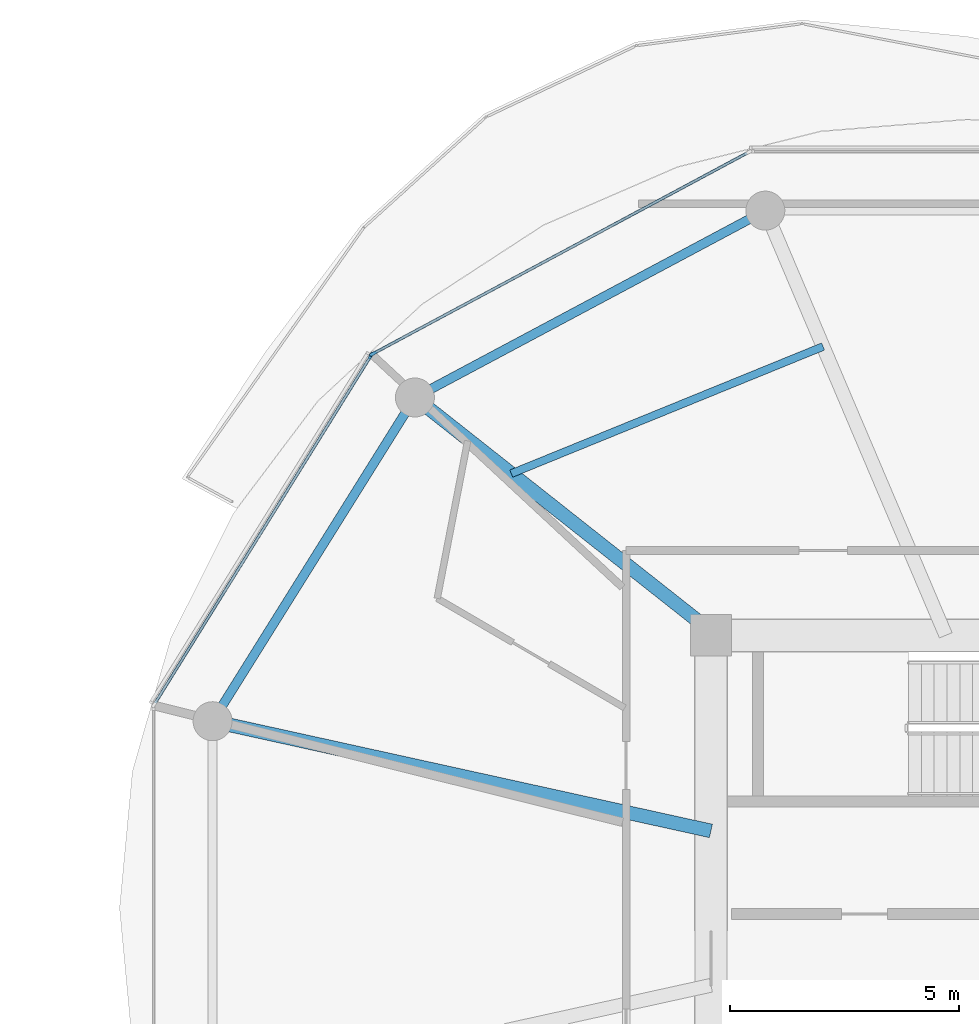
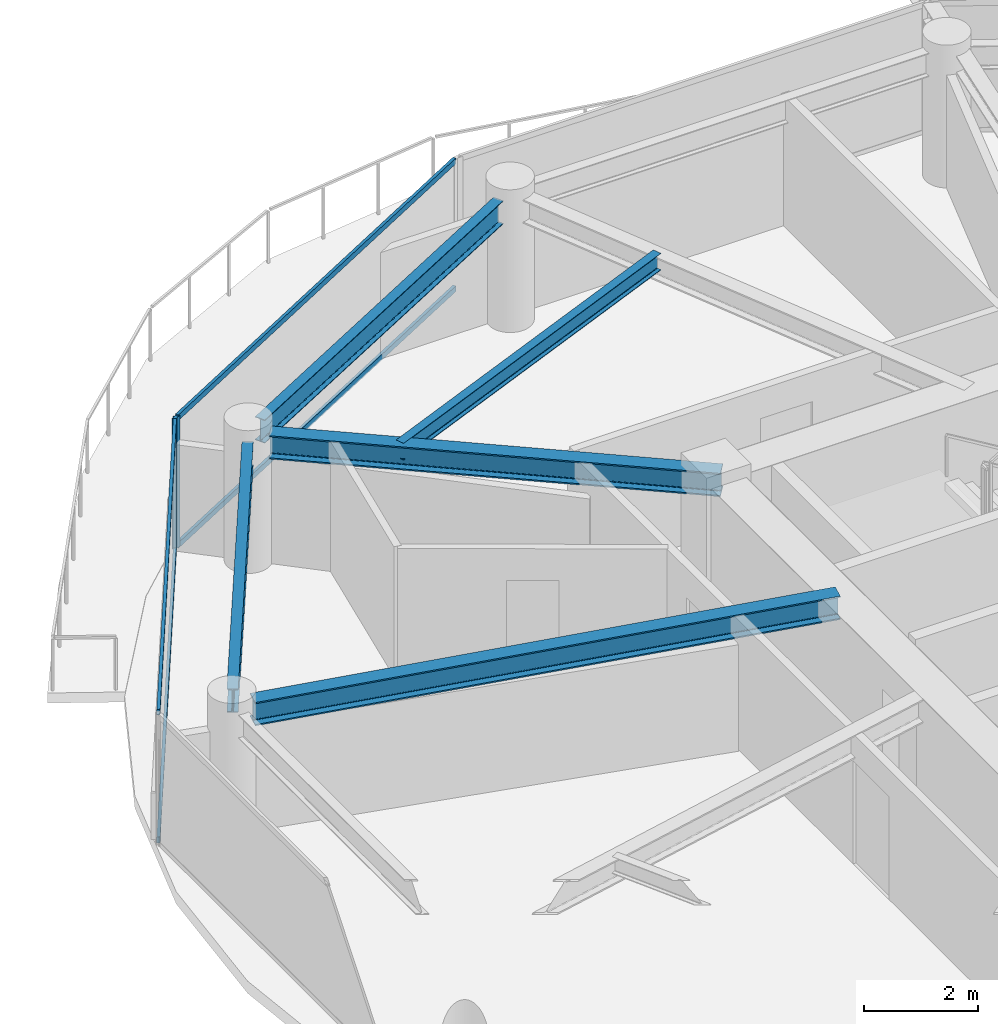
# One storey, part 8 of 24: 6 members, 5 beams, 2 elements without a shape of their own.
"""IFC4 building model written with IfcOpenShell, lengths in metres."""

from ifc_helpers import new_model, si_unit, direction, frame, origin, origin_2d, place, context, subcontext, project, spatial, rectangle, i_section, extrude, source, transform, mapped, material, layer, layer_set, material_profile, profile_set, type_object, type_shapes, element, aggregate, save


model = new_model("IFC4")

# Units and contexts
model_context = context("Model", 3, precision=1e-05, world=origin(), true_north=direction((0.0, 1.0)))
body_context = subcontext(model_context, "Body", "Model", "MODEL_VIEW")
ifc_project = project(units=[si_unit("LENGTHUNIT", "METRE"), si_unit("AREAUNIT", "SQUARE_METRE"), si_unit("VOLUMEUNIT", "CUBIC_METRE"), si_unit("PLANEANGLEUNIT", "RADIAN"), si_unit("MASSUNIT", "GRAM", prefix="KILO")], contexts=[model_context])

# Site, building, storey
site_placement = place(None, origin())
site = spatial("IfcSite", under=ifc_project, at=site_placement, CompositionType="ELEMENT")
building_placement = place(site_placement, origin())
building = spatial("IfcBuilding", under=site, at=building_placement, Name="Norrkilde Senior Care Towers", CompositionType="ELEMENT")
storey_placement = place(building_placement, frame((0.0, 0.0, 117.60009765625)))
storey = spatial("IfcBuildingStorey", under=building, at=storey_placement, Name="L36", CompositionType="ELEMENT", Elevation=117.60009765625)

# Beams
ifc_material_1 = material(Name="Steel S355", Category="steel")
ifc_material_profile_1 = material_profile(ifc_material_1, i_section(OverallWidth=0.199951171875, OverallDepth=0.5, WebThickness=0.01025390625, FlangeThickness=0.01611328125, FilletRadius=0.02099609375, at=origin_2d()), Name="IPE 500")
ifc_profile_set_1 = profile_set([ifc_material_profile_1], Name="Steel S355")
beam_type_1 = type_object("IfcBeamType", Name="Perimeter Ring Spandrel Z2 IPE500", PredefinedType="SPANDREL", material=ifc_profile_set_1)
shared_shape_1 = source(origin(), body_context, "Body", "SweptSolid", [
    extrude(i_section(OverallWidth=0.199951171875, OverallDepth=0.5, WebThickness=0.01025390625, FlangeThickness=0.01611328125, FilletRadius=0.02099609375, at=origin_2d()), origin(), (0.0, 0.0, 1.0), 7.55615234375),
])
beam_1_placement = place(storey_placement, frame((13.689697265625, 10.810546875, 2.539794921875), z_axis=(-0.529981514254, -0.848009194849, 0.0), x_axis=(0.848009194849, -0.529981514254, 0.0)))
element("IfcBeam", 1, at=beam_1_placement, inside=storey, type_object=beam_type_1, Name="L36 Drum E Perimeter Spandrel 05", PredefinedType="SPANDREL", context=body_context, shape_type="MappedRepresentation", body=[
    mapped(shared_shape_1, transform((0.0, 0.0, 0.0), x_axis=(1.0, 0.0, 0.0), y_axis=(0.0, 1.0, 0.0), z_axis=(0.0, 0.0, 1.0), scale=1.0)),
])
ifc_material_profile_2 = material_profile(ifc_material_1, i_section(OverallWidth=0.300048828125, OverallDepth=0.5, WebThickness=0.014404296875, FlangeThickness=0.028076171875, FilletRadius=0.027099609375, at=origin_2d()), Name="HEB 500")
ifc_profile_set_2 = profile_set([ifc_material_profile_2], Name="Steel S355")
beam_type_2 = type_object("IfcBeamType", Name="Radial Floor Beam Z2 HEB500", PredefinedType="BEAM", material=ifc_profile_set_2)
shared_shape_2 = source(origin(), body_context, "Body", "SweptSolid", [
    extrude(i_section(OverallWidth=0.300048828125, OverallDepth=0.5, WebThickness=0.014404296875, FlangeThickness=0.028076171875, FilletRadius=0.027099609375, at=origin_2d()), origin(), (0.0, 0.0, 1.0), 10.744384765625),
])
beam_2_placement = place(storey_placement, frame((20.35009765625, 1.683837890625, 2.539794921875), z_axis=(-0.976618711422, 0.214978818724, 0.0), x_axis=(-0.214978818724, -0.976618711422, 0.0)))
element("IfcBeam", 2, at=beam_2_placement, inside=storey, type_object=beam_type_2, Name="L36 Drum E Radial Floor Beam 06", PredefinedType="BEAM", context=body_context, shape_type="MappedRepresentation", body=[
    mapped(shared_shape_2, transform((0.0, 0.0, 0.0), x_axis=(1.0, 0.0, 0.0), y_axis=(0.0, 1.0, 0.0), z_axis=(0.0, 0.0, 1.0), scale=1.0)),
])
shared_shape_3 = source(origin(), body_context, "Body", "SweptSolid", [
    extrude(i_section(OverallWidth=0.199951171875, OverallDepth=0.5, WebThickness=0.01025390625, FlangeThickness=0.01611328125, FilletRadius=0.02099609375, at=origin_2d()), origin(), (0.0, 0.0, 1.0), 7.892333984375),
])
type_shapes(beam_type_1, [shared_shape_1, shared_shape_3])
beam_3_placement = place(storey_placement, frame((21.197509765625, 15.0322265625, 2.539794921875), z_axis=(-0.882350372282, -0.47059305194, 0.0), x_axis=(0.47059305194, -0.882350372282, 0.0)))
element("IfcBeam", 3, at=beam_3_placement, inside=storey, type_object=beam_type_1, Name="L36 Drum E Perimeter Spandrel 04", PredefinedType="SPANDREL", context=body_context, shape_type="MappedRepresentation", body=[
    mapped(shared_shape_3, transform((0.0, 0.0, 0.0), x_axis=(1.0, 0.0, 0.0), y_axis=(0.0, 1.0, 0.0), z_axis=(0.0, 0.0, 1.0), scale=1.0)),
])
shared_shape_4 = source(origin(), body_context, "Body", "SweptSolid", [
    extrude(i_section(OverallWidth=0.300048828125, OverallDepth=0.5, WebThickness=0.014404296875, FlangeThickness=0.028076171875, FilletRadius=0.027099609375, at=origin_2d()), origin(), (0.0, 0.0, 1.0), 7.985595703125),
])
type_shapes(beam_type_2, [shared_shape_2, shared_shape_4])
beam_4_placement = place(storey_placement, frame((20.463623046875, 5.949951171875, 2.539794921875), z_axis=(-0.784858505144, 0.619675017169, 0.0), x_axis=(-0.619675017169, -0.784858505144, 0.0)))
element("IfcBeam", 4, at=beam_4_placement, inside=storey, type_object=beam_type_2, Name="L36 Drum E Radial Floor Beam 05", PredefinedType="BEAM", context=body_context, shape_type="MappedRepresentation", body=[
    mapped(shared_shape_4, transform((0.0, 0.0, 0.0), x_axis=(1.0, 0.0, 0.0), y_axis=(0.0, 1.0, 0.0), z_axis=(0.0, 0.0, 1.0), scale=1.0)),
])
ifc_material_profile_3 = material_profile(ifc_material_1, i_section(OverallWidth=0.169921875, OverallDepth=0.360107421875, WebThickness=0.008056640625, FlangeThickness=0.0126953125, FilletRadius=0.01806640625, at=origin_2d()), Name="IPE 360")
ifc_profile_set_3 = profile_set([ifc_material_profile_3], Name="Steel S355")
beam_type_3 = type_object("IfcBeamType", Name="Secondary Floor Joist IPE360", PredefinedType="JOIST", material=ifc_profile_set_3)
shared_shape_5 = source(origin(), body_context, "Body", "SweptSolid", [
    extrude(i_section(OverallWidth=0.169921875, OverallDepth=0.360107421875, WebThickness=0.008056640625, FlangeThickness=0.0126953125, FilletRadius=0.01806640625, at=origin_2d()), origin(), (0.0, 0.0, 1.0), 7.343505859375),
])
type_shapes(beam_type_3, [shared_shape_5])
beam_5_placement = place(storey_placement, frame((22.79638671875, 12.2490234375, 2.60986328125), z_axis=(-0.926021784767, -0.377470070519, 0.0), x_axis=(0.377470070519, -0.926021784767, 0.0)))
element("IfcBeam", 5, at=beam_5_placement, inside=storey, type_object=beam_type_3, Name="L36 Drum E Secondary Floor Joist 2", PredefinedType="JOIST", context=body_context, shape_type="MappedRepresentation", body=[
    mapped(shared_shape_5, transform((0.0, 0.0, 0.0), x_axis=(1.0, 0.0, 0.0), y_axis=(0.0, 1.0, 0.0), z_axis=(0.0, 0.0, 1.0), scale=1.0)),
])

# Curtain wall, member
ifc_material_2 = material(Name="Triple Low-E Insulated Glazing", Category="glass")
ifc_layer = layer(ifc_material_2, 0.195068359375)
ifc_layer_set = layer_set([ifc_layer], Name="Triple Low-E Insulated Glazing")
curtain_wall_type = type_object("IfcCurtainWallType", Name="CW3 Zone 2 Assisted Living Curtain Wall", PredefinedType="NOTDEFINED", material=ifc_layer_set)
curtain_wall_1_placement = place(storey_placement, origin())
curtain_wall_1 = element("IfcCurtainWall", 6, at=curtain_wall_1_placement, inside=storey, type_object=curtain_wall_type, Name="L36 Drum E Curtain Wall 03", PredefinedType="NOTDEFINED")
ifc_material_3 = material(Name="Anodised Aluminium", Category="aluminium")
ifc_material_profile_4 = material_profile(ifc_material_3, rectangle(XDim=0.06494140625, YDim=0.159912109375, at=origin_2d()), Name="ALU MULL 65x160")
ifc_profile_set_4 = profile_set([ifc_material_profile_4], Name="Anodised Aluminium")
member_type_1 = type_object("IfcMemberType", Name="Curtain Wall Mullion Z1-Z2 65x160", PredefinedType="MULLION", material=ifc_profile_set_4)
shared_shape_6 = source(origin(), body_context, "Body", "SweptSolid", [
    extrude(rectangle(XDim=0.06494140625, YDim=0.159912109375, at=origin_2d()), origin(), (0.0, 0.0, 1.0), 2.789794921875),
])
type_shapes(member_type_1, [shared_shape_6])
member_1_placement = place(storey_placement, frame((12.98193359375, 12.0927734375, 0.0), z_axis=(0.0, 0.0, 1.0), x_axis=(-0.472769402511, 0.881186184668, 0.0)))
member_1 = element("IfcMember", 7, at=member_1_placement, type_object=member_type_1, Name="CW-3 mullion 1", PredefinedType="MULLION", context=body_context, shape_type="MappedRepresentation", body=[
    mapped(shared_shape_6, transform((0.0, 0.0, 0.0), x_axis=(1.0, 0.0, 0.0), y_axis=(0.0, 1.0, 0.0), z_axis=(0.0, 0.0, 1.0), scale=1.0)),
])

# Curtain wall, members
curtain_wall_2_placement = place(storey_placement, origin())
curtain_wall_2 = element("IfcCurtainWall", 8, at=curtain_wall_2_placement, inside=storey, type_object=curtain_wall_type, Name="L36 Drum E Curtain Wall 04", PredefinedType="NOTDEFINED")
member_2_placement = place(storey_placement, frame((12.936279296875, 12.0498046875, 0.0), z_axis=(0.0, 0.0, 1.0), x_axis=(-0.849410171862, 0.527733228002, 0.0)))
member_2 = element("IfcMember", 9, at=member_2_placement, type_object=member_type_1, Name="CW-3 mullion 2", PredefinedType="MULLION", context=body_context, shape_type="MappedRepresentation", body=[
    mapped(shared_shape_6, transform((0.0, 0.0, 0.0), x_axis=(1.0, 0.0, 0.0), y_axis=(0.0, 1.0, 0.0), z_axis=(0.0, 0.0, 1.0), scale=1.0)),
])
ifc_material_profile_5 = material_profile(ifc_material_3, rectangle(XDim=0.06005859375, YDim=0.1201171875, at=origin_2d()), Name="ALU TRAN 60x120")
ifc_profile_set_5 = profile_set([ifc_material_profile_5], Name="Anodised Aluminium")
member_type_2 = type_object("IfcMemberType", Name="Curtain Wall Transom Typical 60x120", PredefinedType="USERDEFINED", material=ifc_profile_set_5)
shared_shape_7 = source(origin(), body_context, "Body", "SweptSolid", [
    extrude(rectangle(XDim=0.06005859375, YDim=0.1201171875, at=origin_2d()), origin(), (0.0, 0.0, 1.0), 8.88427734375),
])
member_3_placement = place(storey_placement, frame((8.23046875, 4.475830078125, 0.02978515625), z_axis=(0.527749293309, 0.849400190377, 0.0), x_axis=(-0.849400190377, 0.527749293309, 0.0)))
member_3 = element("IfcMember", 10, at=member_3_placement, type_object=member_type_2, Name="CW-3 transom 1.1", ObjectType="TRANSOM", PredefinedType="USERDEFINED", context=body_context, shape_type="MappedRepresentation", body=[
    mapped(shared_shape_7, transform((0.0, 0.0, 0.0), x_axis=(1.0, 0.0, 0.0), y_axis=(0.0, 1.0, 0.0), z_axis=(0.0, 0.0, 1.0), scale=1.0)),
])
member_4_placement = place(storey_placement, frame((8.23046875, 4.475830078125, 2.760009765625), z_axis=(0.527749293309, 0.849400190377, 0.0), x_axis=(-0.849400190377, 0.527749293309, 0.0)))
member_4 = element("IfcMember", 11, at=member_4_placement, type_object=member_type_2, Name="CW-3 transom 1.2", ObjectType="TRANSOM", PredefinedType="USERDEFINED", context=body_context, shape_type="MappedRepresentation", body=[
    mapped(shared_shape_7, transform((0.0, 0.0, 0.0), x_axis=(1.0, 0.0, 0.0), y_axis=(0.0, 1.0, 0.0), z_axis=(0.0, 0.0, 1.0), scale=1.0)),
])
aggregate(curtain_wall_2, [member_2, member_3, member_4])

# Member
shared_shape_8 = source(origin(), body_context, "Body", "SweptSolid", [
    extrude(rectangle(XDim=0.06005859375, YDim=0.1201171875, at=origin_2d()), origin(), (0.0, 0.0, 1.0), 9.220458984375),
])
type_shapes(member_type_2, [shared_shape_7, shared_shape_8])
member_5_placement = place(storey_placement, frame((13.0107421875, 12.108154296875, 0.02978515625), z_axis=(0.881188517866, 0.472765053681, 0.0), x_axis=(-0.472765053681, 0.881188517866, 0.0)))
member_5 = element("IfcMember", 12, at=member_5_placement, type_object=member_type_2, Name="CW-3 transom 1.1", ObjectType="TRANSOM", PredefinedType="USERDEFINED", context=body_context, shape_type="MappedRepresentation", body=[
    mapped(shared_shape_8, transform((0.0, 0.0, 0.0), x_axis=(1.0, 0.0, 0.0), y_axis=(0.0, 1.0, 0.0), z_axis=(0.0, 0.0, 1.0), scale=1.0)),
])

member_6_placement = place(storey_placement, frame((13.0107421875, 12.108154296875, 2.760009765625), z_axis=(0.881188517866, 0.472765053681, 0.0), x_axis=(-0.472765053681, 0.881188517866, 0.0)))
member_6 = element("IfcMember", 13, at=member_6_placement, type_object=member_type_2, Name="CW-3 transom 1.2", ObjectType="TRANSOM", PredefinedType="USERDEFINED", context=body_context, shape_type="MappedRepresentation", body=[
    mapped(shared_shape_8, transform((0.0, 0.0, 0.0), x_axis=(1.0, 0.0, 0.0), y_axis=(0.0, 1.0, 0.0), z_axis=(0.0, 0.0, 1.0), scale=1.0)),
])

aggregate(curtain_wall_1, [member_1, member_5, member_6])

save(model, "model.ifc")
